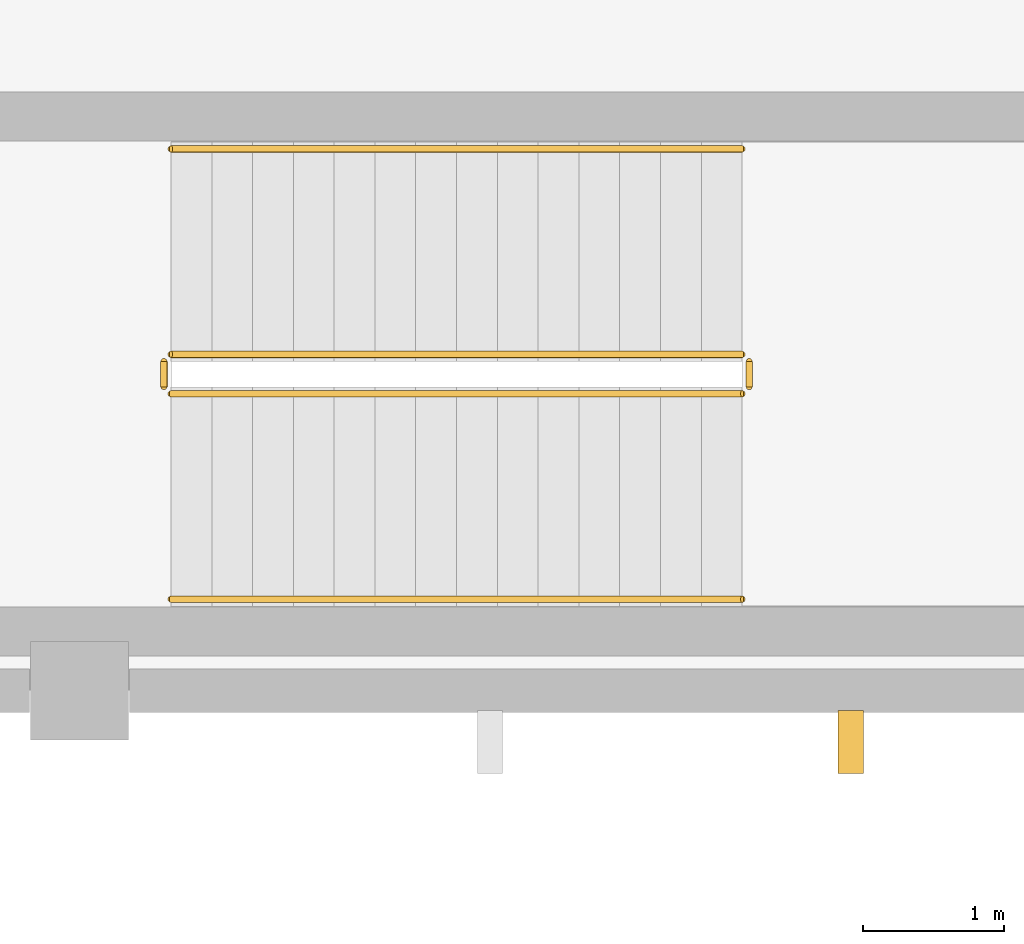
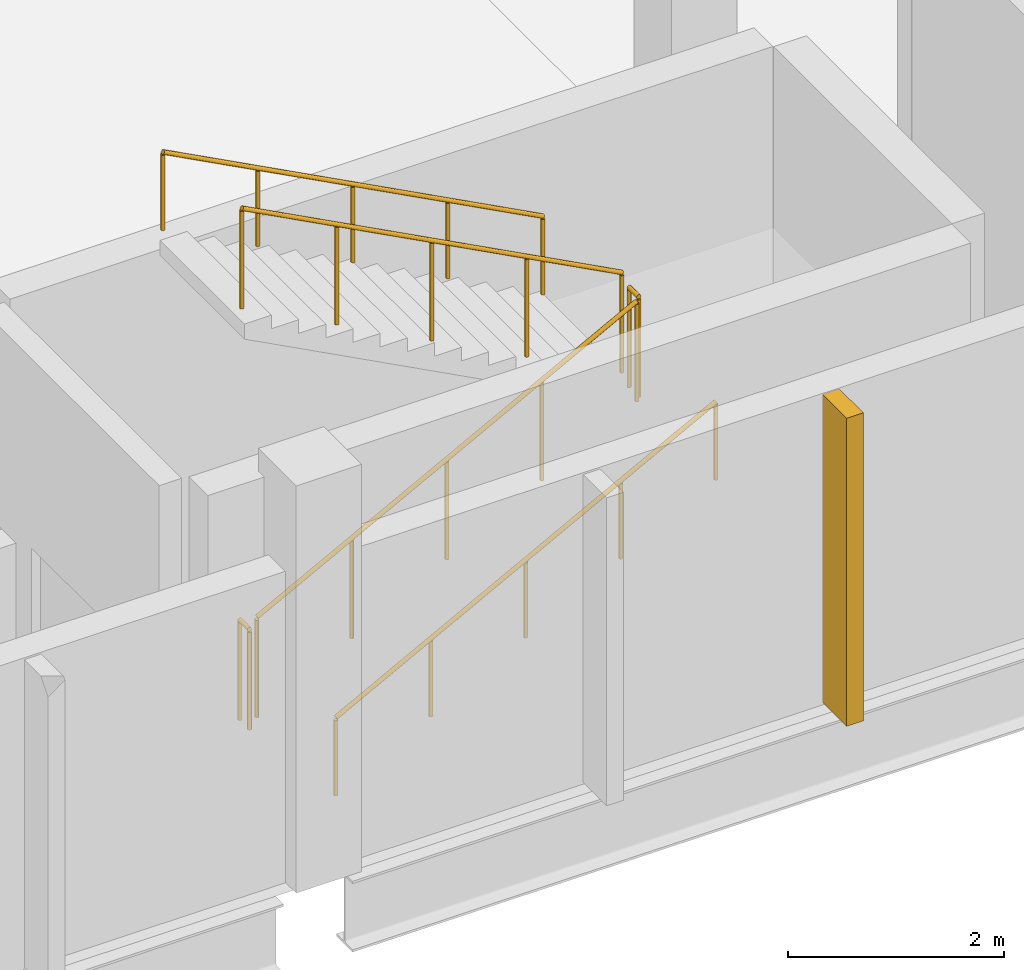
# One storey, part 34 of 37: 6 railings, 1 shading device.
"""IFC4 building model written with IfcOpenShell, lengths in metres."""

from ifc_helpers import new_model, si_unit, direction, frame, origin, origin_2d, place, context, subcontext, project, spatial, rectangle, circle, extrude, material, layer, layer_set, type_object, element, save


model = new_model("IFC4")

# Units and contexts
model_context = context("Model", 3, precision=1e-05, world=origin(), true_north=direction((0.0, 1.0)))
body_context = subcontext(model_context, "Body", "Model", "MODEL_VIEW")
ifc_project = project(units=[si_unit("LENGTHUNIT", "METRE"), si_unit("AREAUNIT", "SQUARE_METRE"), si_unit("VOLUMEUNIT", "CUBIC_METRE"), si_unit("PLANEANGLEUNIT", "RADIAN"), si_unit("MASSUNIT", "GRAM", prefix="KILO")], contexts=[model_context])

# Site, building, storey
site_placement = place(None, origin())
site = spatial("IfcSite", under=ifc_project, at=site_placement, CompositionType="ELEMENT")
building_placement = place(site_placement, origin())
building = spatial("IfcBuilding", under=site, at=building_placement, Name="Shengluoqiao Park Theatre", CompositionType="ELEMENT")
storey_placement = place(building_placement, frame((0.0, 0.0, 19.199951171875)))
storey = spatial("IfcBuildingStorey", under=building, at=storey_placement, Name="L04", CompositionType="ELEMENT", Elevation=19.199951171875)

# Shading device
ifc_material_1 = material(Name="Concrete C45", Category="concrete")
ifc_layer = layer(ifc_material_1, 0.179931640625, Name="Concrete C45")
ifc_layer_set = layer_set([ifc_layer], Name="Concrete C45")
shading_device_type = type_object("IfcShadingDeviceType", Name="ENV-FIN-450x180", PredefinedType="USERDEFINED", material=ifc_layer_set)
shading_device_placement = place(storey_placement, frame((109.48193359375, 83.635009765625, 0.02001953125), z_axis=(0.0, 0.0, 1.0), x_axis=(0.0, -1.0, 0.0)))
element("IfcShadingDevice", 1, at=shading_device_placement, inside=storey, type_object=shading_device_type, Name="L04 Vertical Concrete Acoustic Rib 0107", ObjectType="FIN", PredefinedType="USERDEFINED", context=body_context, shape_type="SweptSolid", body=[
    extrude(rectangle(XDim=0.449951171875, YDim=0.179931640625, at=origin_2d()), origin(), (0.0, 0.0, 1.0), 3.47802734375),
])

# Railings
ifc_material_2 = material(Name="Painted steel", Category="steel")
railing_type_1 = type_object("IfcRailingType", Name="INT-RL-STGRD", PredefinedType="GUARDRAIL", material=ifc_material_2)
railing_1_placement = place(storey_placement, frame((104.64990234375, 86.110107421875, 0.1533203125)))
element("IfcRailing", 2, at=railing_1_placement, inside=storey, type_object=railing_type_1, Name="L04 ST-05 stair guard 1", PredefinedType="GUARDRAIL", context=body_context, shape_type="SweptSolid", body=[
    extrude(circle(Radius=0.02392578125, at=origin_2d()), frame((0.0, 0.0, 1.1259765625), z_axis=(0.884032182968, 0.0, 0.46742603637), x_axis=(0.0, 1.0, 0.0)), (0.0, 0.0, 1.0), 4.5927734375),
    extrude(circle(Radius=0.02099609375, at=origin_2d()), origin(), (0.0, 0.0, 1.0), 1.101806640625),
    extrude(circle(Radius=0.02099609375, at=origin_2d()), frame((1.01513671875, 0.0, 0.53662109375)), (0.0, 0.0, 1.0), 1.101806640625),
    extrude(circle(Radius=0.02099609375, at=origin_2d()), frame((2.030029296875, 0.0, 1.0732421875)), (0.0, 0.0, 1.0), 1.101806640625),
    extrude(circle(Radius=0.02099609375, at=origin_2d()), frame((3.044921875, 0.0, 1.610107421875)), (0.0, 0.0, 1.0), 1.101806640625),
    extrude(circle(Radius=0.02099609375, at=origin_2d()), frame((4.06005859375, 0.0, 2.146728515625)), (0.0, 0.0, 1.0), 1.101806640625),
])
railing_2_placement = place(storey_placement, frame((108.760009765625, 86.159912109375, 2.300048828125)))
element("IfcRailing", 3, at=railing_2_placement, inside=storey, type_object=railing_type_1, Name="L04 ST-05 stair guard 2", PredefinedType="GUARDRAIL", context=body_context, shape_type="SweptSolid", body=[
    extrude(circle(Radius=0.02392578125, at=origin_2d()), frame((0.0, 0.0, 1.1259765625), z_axis=(0.0, 1.0, 0.0), x_axis=(-1.0, 0.0, 0.0)), (0.0, 0.0, 1.0), 0.18017578125),
    extrude(circle(Radius=0.02099609375, at=origin_2d()), origin(), (0.0, 0.0, 1.0), 1.101806640625),
    extrude(circle(Radius=0.02099609375, at=origin_2d()), frame((0.0, 0.18017578125, 0.0)), (0.0, 0.0, 1.0), 1.101806640625),
])
railing_3_placement = place(storey_placement, frame((108.7099609375, 86.389892578125, 2.453369140625)))
element("IfcRailing", 4, at=railing_3_placement, inside=storey, type_object=railing_type_1, Name="L04 ST-05 stair guard 3", PredefinedType="GUARDRAIL", context=body_context, shape_type="SweptSolid", body=[
    extrude(circle(Radius=0.02392578125, at=origin_2d()), frame((0.0, 0.0, 1.1259765625), z_axis=(-0.884032182968, 0.0, 0.46742603637), x_axis=(0.0, -1.0, 0.0)), (0.0, 0.0, 1.0), 4.5927734375),
    extrude(circle(Radius=0.02099609375, at=origin_2d()), origin(), (0.0, 0.0, 1.0), 1.101806640625),
    extrude(circle(Radius=0.02099609375, at=origin_2d()), frame((-1.01513671875, 0.0, 0.53662109375)), (0.0, 0.0, 1.0), 1.101806640625),
    extrude(circle(Radius=0.02099609375, at=origin_2d()), frame((-2.030029296875, 0.0, 1.0732421875)), (0.0, 0.0, 1.0), 1.101806640625),
    extrude(circle(Radius=0.02099609375, at=origin_2d()), frame((-3.044921875, 0.0, 1.610107421875)), (0.0, 0.0, 1.0), 1.101806640625),
    extrude(circle(Radius=0.02099609375, at=origin_2d()), frame((-4.06005859375, 0.0, 2.146728515625)), (0.0, 0.0, 1.0), 1.101806640625),
])
railing_4_placement = place(storey_placement, frame((104.60009765625, 86.159912109375, 0.0)))
element("IfcRailing", 5, at=railing_4_placement, inside=storey, type_object=railing_type_1, Name="L04 ST-05 stair guard 4", PredefinedType="GUARDRAIL", context=body_context, shape_type="SweptSolid", body=[
    extrude(circle(Radius=0.02392578125, at=origin_2d()), frame((0.0, 0.0, 1.1259765625), z_axis=(0.0, 1.0, 0.0), x_axis=(-1.0, 0.0, 0.0)), (0.0, 0.0, 1.0), 0.18017578125),
    extrude(circle(Radius=0.02099609375, at=origin_2d()), origin(), (0.0, 0.0, 1.0), 1.101806640625),
    extrude(circle(Radius=0.02099609375, at=origin_2d()), frame((0.0, 0.18017578125, 0.0)), (0.0, 0.0, 1.0), 1.101806640625),
])
ifc_material_3 = material(Name="Stainless steel 304", Category="steel")
railing_type_2 = type_object("IfcRailingType", Name="INT-RL-STHR", PredefinedType="HANDRAIL", material=ifc_material_3)
railing_5_placement = place(storey_placement, frame((104.64990234375, 84.64990234375, 0.1533203125)))
element("IfcRailing", 6, at=railing_5_placement, inside=storey, type_object=railing_type_2, Name="L04 ST-05 stair handrail 1", PredefinedType="HANDRAIL", context=body_context, shape_type="SweptSolid", body=[
    extrude(circle(Radius=0.02392578125, at=origin_2d()), frame((0.0, 0.0, 0.8759765625), z_axis=(0.884032182968, 0.0, 0.46742603637), x_axis=(0.0, 1.0, 0.0)), (0.0, 0.0, 1.0), 4.5927734375),
    extrude(circle(Radius=0.02099609375, at=origin_2d()), origin(), (0.0, 0.0, 1.0), 0.851806640625),
    extrude(circle(Radius=0.02099609375, at=origin_2d()), frame((1.01513671875, 0.0, 0.53662109375)), (0.0, 0.0, 1.0), 0.851806640625),
    extrude(circle(Radius=0.02099609375, at=origin_2d()), frame((2.030029296875, 0.0, 1.0732421875)), (0.0, 0.0, 1.0), 0.851806640625),
    extrude(circle(Radius=0.02099609375, at=origin_2d()), frame((3.044921875, 0.0, 1.610107421875)), (0.0, 0.0, 1.0), 0.851806640625),
    extrude(circle(Radius=0.02099609375, at=origin_2d()), frame((4.06005859375, 0.0, 2.146728515625)), (0.0, 0.0, 1.0), 0.851806640625),
])
railing_6_placement = place(storey_placement, frame((108.7099609375, 87.85009765625, 2.453369140625)))
element("IfcRailing", 7, at=railing_6_placement, inside=storey, type_object=railing_type_2, Name="L04 ST-05 stair handrail 2", PredefinedType="HANDRAIL", context=body_context, shape_type="SweptSolid", body=[
    extrude(circle(Radius=0.02392578125, at=origin_2d()), frame((0.0, 0.0, 0.8759765625), z_axis=(-0.884032182968, 0.0, 0.46742603637), x_axis=(0.0, -1.0, 0.0)), (0.0, 0.0, 1.0), 4.5927734375),
    extrude(circle(Radius=0.02099609375, at=origin_2d()), origin(), (0.0, 0.0, 1.0), 0.851806640625),
    extrude(circle(Radius=0.02099609375, at=origin_2d()), frame((-1.01513671875, 0.0, 0.53662109375)), (0.0, 0.0, 1.0), 0.851806640625),
    extrude(circle(Radius=0.02099609375, at=origin_2d()), frame((-2.030029296875, 0.0, 1.0732421875)), (0.0, 0.0, 1.0), 0.851806640625),
    extrude(circle(Radius=0.02099609375, at=origin_2d()), frame((-3.044921875, 0.0, 1.610107421875)), (0.0, 0.0, 1.0), 0.851806640625),
    extrude(circle(Radius=0.02099609375, at=origin_2d()), frame((-4.06005859375, 0.0, 2.146728515625)), (0.0, 0.0, 1.0), 0.851806640625),
])

save(model, "model.ifc")
